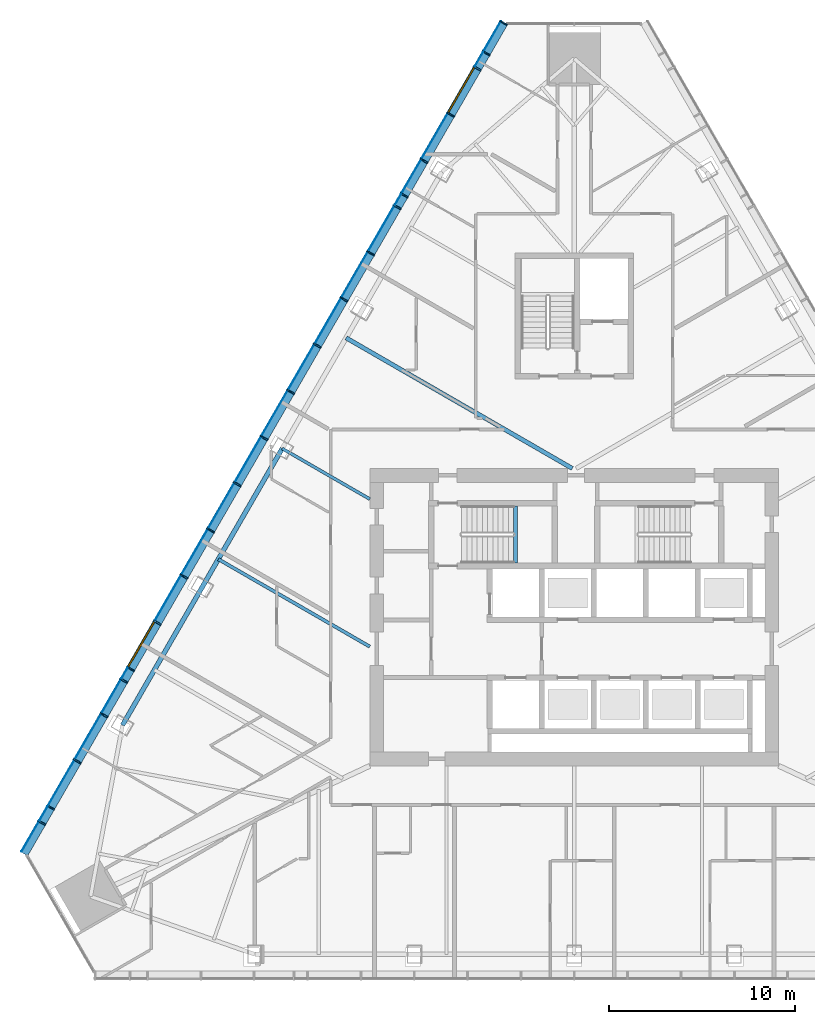
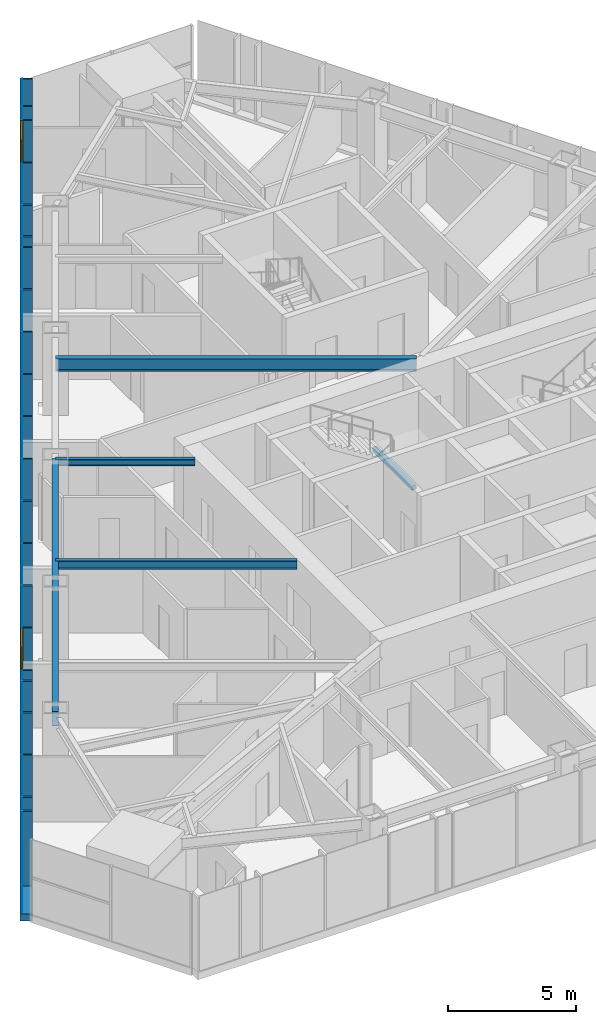
# One storey, part 4 of 16: 23 members, 20 plates, 5 beams, 2 windows, 2 openings, 1 element without a shape of its own.
"""IFC4 building model written with IfcOpenShell, lengths in metres."""

from ifc_helpers import new_model, si_unit, direction, frame, frame_2d, origin, origin_2d, place, context, subcontext, project, spatial, polyline, rectangle, i_section, outline, extrude, material, layer, layer_set, material_profile, profile_set, type_object, element, fill, aggregate, save


model = new_model("IFC4")

# Units and contexts
model_context = context("Model", 3, precision=1e-05, world=origin(), true_north=direction((0.0, 1.0)))
body_context = subcontext(model_context, "Body", "Model", "MODEL_VIEW")
ifc_project = project(units=[si_unit("LENGTHUNIT", "METRE"), si_unit("AREAUNIT", "SQUARE_METRE"), si_unit("VOLUMEUNIT", "CUBIC_METRE"), si_unit("PLANEANGLEUNIT", "RADIAN"), si_unit("MASSUNIT", "GRAM", prefix="KILO")], contexts=[model_context])

# Site, building, storey
site_placement = place(None, origin())
site = spatial("IfcSite", under=ifc_project, at=site_placement, CompositionType="ELEMENT")
building_placement = place(site_placement, origin())
building = spatial("IfcBuilding", under=site, at=building_placement, Name="Firuza Gate Tower and Library", CompositionType="ELEMENT")
storey_placement = place(building_placement, frame((0.0, 0.0, 198.699951171875)))
storey = spatial("IfcBuildingStorey", under=building, at=storey_placement, Name="L46", CompositionType="ELEMENT", Elevation=198.699951171875)

# Curtain wall, openings, members
ifc_material_1 = material(Name="Aluminium 6063-T6", Category="aluminium")
ifc_layer_1 = layer(ifc_material_1, 0.14990234375)
ifc_layer_set_1 = layer_set([ifc_layer_1], Name="Unitised curtain wall, hotel")
curtain_wall_type = type_object("IfcCurtainWallType", Name="Unitised curtain wall, hotel", PredefinedType="NOTDEFINED", material=ifc_layer_set_1)
curtain_wall_placement = place(storey_placement, origin())
curtain_wall = element("IfcCurtainWall", 1, at=curtain_wall_placement, inside=storey, type_object=curtain_wall_type, Name="CW2 L46 W face", PredefinedType="NOTDEFINED")
opening_1_placement = place(curtain_wall_placement, frame((69.6162109375, 104.568359375, 0.150146484375), z_axis=(0.0, 0.0, 1.0), x_axis=(-0.5, -0.866025, 0.0)))
opening_1 = element("IfcOpeningElement", 2, at=opening_1_placement, cuts=curtain_wall, Name="Opening WD1-005", PredefinedType="OPENING", context=body_context, shape_type="SweptSolid", body=[
    extrude(rectangle(XDim=2.789306640625, YDim=3.550048828125, at=frame_2d((1.39453125, 1.77490234375))), frame((0.0, 0.0849609375, 0.0), z_axis=(0.0, -1.0, 0.0), x_axis=(1.0, 0.0, 0.0)), (0.0, 0.0, 1.0), 0.169921875),
])
opening_2_placement = place(curtain_wall_placement, frame((52.39990234375, 74.748779296875, 0.150146484375), z_axis=(0.0, 0.0, 1.0), x_axis=(-0.5, -0.866025, 0.0)))
opening_2 = element("IfcOpeningElement", 3, at=opening_2_placement, cuts=curtain_wall, Name="Opening WD1-006", PredefinedType="OPENING", context=body_context, shape_type="SweptSolid", body=[
    extrude(rectangle(XDim=2.789306640625, YDim=3.550048828125, at=frame_2d((1.39453125, 1.77490234375))), frame((0.0, 0.0849609375, 0.0), z_axis=(0.0, -1.0, 0.0), x_axis=(1.0, 0.0, 0.0)), (0.0, 0.0, 1.0), 0.169921875),
])
ifc_material_2 = material(Name="Aluminium 6063-T6", Category="aluminium")
ifc_material_profile_1 = material_profile(ifc_material_2, rectangle(XDim=0.47998046875, YDim=0.080078125, at=origin_2d()))
ifc_profile_set_1 = profile_set([ifc_material_profile_1], Name="Aluminium 6063-T6")
member_type_1 = type_object("IfcMemberType", Name="Curtain wall mullion 80x480", PredefinedType="MULLION", material=ifc_profile_set_1)
member_1_placement = place(storey_placement, frame((71.19384765625, 106.970947265625, 0.150146484375), z_axis=(0.0, 0.0, 1.0), x_axis=(0.866025403784, -0.5, 0.0)))
member_1 = element("IfcMember", 4, at=member_1_placement, type_object=member_type_1, Name="Mullion", PredefinedType="MULLION", context=body_context, shape_type="SweptSolid", body=[
    extrude(rectangle(XDim=0.47998046875, YDim=0.080078125, at=origin_2d()), origin(), (0.0, 0.0, 1.0), 3.5498046875),
])
member_2_placement = place(storey_placement, frame((69.779052734375, 104.5205078125, 0.150146484375), z_axis=(0.0, 0.0, 1.0), x_axis=(0.866025403784, -0.5, 0.0)))
member_2 = element("IfcMember", 5, at=member_2_placement, type_object=member_type_1, Name="Mullion", PredefinedType="MULLION", context=body_context, shape_type="SweptSolid", body=[
    extrude(rectangle(XDim=0.47998046875, YDim=0.080078125, at=origin_2d()), origin(), (0.0, 0.0, 1.0), 3.5498046875),
])
member_3_placement = place(storey_placement, frame((68.344482421875, 102.03564453125, 0.150146484375), z_axis=(0.0, 0.0, 1.0), x_axis=(0.866025403784, -0.5, 0.0)))
member_3 = element("IfcMember", 6, at=member_3_placement, type_object=member_type_1, Name="Mullion", PredefinedType="MULLION", context=body_context, shape_type="SweptSolid", body=[
    extrude(rectangle(XDim=0.47998046875, YDim=0.080078125, at=origin_2d()), origin(), (0.0, 0.0, 1.0), 3.5498046875),
])
member_4_placement = place(storey_placement, frame((66.90966796875, 99.550537109375, 0.150146484375), z_axis=(0.0, 0.0, 1.0), x_axis=(0.866025403784, -0.5, 0.0)))
member_4 = element("IfcMember", 7, at=member_4_placement, type_object=member_type_1, Name="Mullion", PredefinedType="MULLION", context=body_context, shape_type="SweptSolid", body=[
    extrude(rectangle(XDim=0.47998046875, YDim=0.080078125, at=origin_2d()), origin(), (0.0, 0.0, 1.0), 3.5498046875),
])
member_5_placement = place(storey_placement, frame((65.47509765625, 97.065673828125, 0.150146484375), z_axis=(0.0, 0.0, 1.0), x_axis=(0.866025403784, -0.5, 0.0)))
member_5 = element("IfcMember", 8, at=member_5_placement, type_object=member_type_1, Name="Mullion", PredefinedType="MULLION", context=body_context, shape_type="SweptSolid", body=[
    extrude(rectangle(XDim=0.47998046875, YDim=0.080078125, at=origin_2d()), origin(), (0.0, 0.0, 1.0), 3.5498046875),
])
member_6_placement = place(storey_placement, frame((64.040283203125, 94.580810546875, 0.150146484375), z_axis=(0.0, 0.0, 1.0), x_axis=(0.866025403784, -0.5, 0.0)))
member_6 = element("IfcMember", 9, at=member_6_placement, type_object=member_type_1, Name="Mullion", PredefinedType="MULLION", context=body_context, shape_type="SweptSolid", body=[
    extrude(rectangle(XDim=0.47998046875, YDim=0.080078125, at=origin_2d()), origin(), (0.0, 0.0, 1.0), 3.5498046875),
])
member_7_placement = place(storey_placement, frame((62.605712890625, 92.095703125, 0.150146484375), z_axis=(0.0, 0.0, 1.0), x_axis=(0.866025403784, -0.5, 0.0)))
member_7 = element("IfcMember", 10, at=member_7_placement, type_object=member_type_1, Name="Mullion", PredefinedType="MULLION", context=body_context, shape_type="SweptSolid", body=[
    extrude(rectangle(XDim=0.47998046875, YDim=0.080078125, at=origin_2d()), origin(), (0.0, 0.0, 1.0), 3.5498046875),
])
member_8_placement = place(storey_placement, frame((61.1708984375, 89.61083984375, 0.150146484375), z_axis=(0.0, 0.0, 1.0), x_axis=(0.866025403784, -0.5, 0.0)))
member_8 = element("IfcMember", 11, at=member_8_placement, type_object=member_type_1, Name="Mullion", PredefinedType="MULLION", context=body_context, shape_type="SweptSolid", body=[
    extrude(rectangle(XDim=0.47998046875, YDim=0.080078125, at=origin_2d()), origin(), (0.0, 0.0, 1.0), 3.5498046875),
])
member_9_placement = place(storey_placement, frame((59.736328125, 87.125732421875, 0.150146484375), z_axis=(0.0, 0.0, 1.0), x_axis=(0.866025403784, -0.5, 0.0)))
member_9 = element("IfcMember", 12, at=member_9_placement, type_object=member_type_1, Name="Mullion", PredefinedType="MULLION", context=body_context, shape_type="SweptSolid", body=[
    extrude(rectangle(XDim=0.47998046875, YDim=0.080078125, at=origin_2d()), origin(), (0.0, 0.0, 1.0), 3.5498046875),
])
member_10_placement = place(storey_placement, frame((58.301513671875, 84.640869140625, 0.150146484375), z_axis=(0.0, 0.0, 1.0), x_axis=(0.866025403784, -0.5, 0.0)))
member_10 = element("IfcMember", 13, at=member_10_placement, type_object=member_type_1, Name="Mullion", PredefinedType="MULLION", context=body_context, shape_type="SweptSolid", body=[
    extrude(rectangle(XDim=0.47998046875, YDim=0.080078125, at=origin_2d()), origin(), (0.0, 0.0, 1.0), 3.5498046875),
])
member_11_placement = place(storey_placement, frame((56.866943359375, 82.156005859375, 0.150146484375), z_axis=(0.0, 0.0, 1.0), x_axis=(0.866025403784, -0.5, 0.0)))
member_11 = element("IfcMember", 14, at=member_11_placement, type_object=member_type_1, Name="Mullion", PredefinedType="MULLION", context=body_context, shape_type="SweptSolid", body=[
    extrude(rectangle(XDim=0.47998046875, YDim=0.080078125, at=origin_2d()), origin(), (0.0, 0.0, 1.0), 3.5498046875),
])
member_12_placement = place(storey_placement, frame((55.43212890625, 79.6708984375, 0.150146484375), z_axis=(0.0, 0.0, 1.0), x_axis=(0.866025403784, -0.5, 0.0)))
member_12 = element("IfcMember", 15, at=member_12_placement, type_object=member_type_1, Name="Mullion", PredefinedType="MULLION", context=body_context, shape_type="SweptSolid", body=[
    extrude(rectangle(XDim=0.47998046875, YDim=0.080078125, at=origin_2d()), origin(), (0.0, 0.0, 1.0), 3.5498046875),
])
member_13_placement = place(storey_placement, frame((53.99755859375, 77.18603515625, 0.150146484375), z_axis=(0.0, 0.0, 1.0), x_axis=(0.866025403784, -0.5, 0.0)))
member_13 = element("IfcMember", 16, at=member_13_placement, type_object=member_type_1, Name="Mullion", PredefinedType="MULLION", context=body_context, shape_type="SweptSolid", body=[
    extrude(rectangle(XDim=0.47998046875, YDim=0.080078125, at=origin_2d()), origin(), (0.0, 0.0, 1.0), 3.5498046875),
])
member_14_placement = place(storey_placement, frame((52.562744140625, 74.700927734375, 0.150146484375), z_axis=(0.0, 0.0, 1.0), x_axis=(0.866025403784, -0.5, 0.0)))
member_14 = element("IfcMember", 17, at=member_14_placement, type_object=member_type_1, Name="Mullion", PredefinedType="MULLION", context=body_context, shape_type="SweptSolid", body=[
    extrude(rectangle(XDim=0.47998046875, YDim=0.080078125, at=origin_2d()), origin(), (0.0, 0.0, 1.0), 3.5498046875),
])
member_15_placement = place(storey_placement, frame((51.128173828125, 72.216064453125, 0.150146484375), z_axis=(0.0, 0.0, 1.0), x_axis=(0.866025403784, -0.5, 0.0)))
member_15 = element("IfcMember", 18, at=member_15_placement, type_object=member_type_1, Name="Mullion", PredefinedType="MULLION", context=body_context, shape_type="SweptSolid", body=[
    extrude(rectangle(XDim=0.47998046875, YDim=0.080078125, at=origin_2d()), origin(), (0.0, 0.0, 1.0), 3.5498046875),
])
member_16_placement = place(storey_placement, frame((49.693359375, 69.73095703125, 0.150146484375), z_axis=(0.0, 0.0, 1.0), x_axis=(0.866025403784, -0.5, 0.0)))
member_16 = element("IfcMember", 19, at=member_16_placement, type_object=member_type_1, Name="Mullion", PredefinedType="MULLION", context=body_context, shape_type="SweptSolid", body=[
    extrude(rectangle(XDim=0.47998046875, YDim=0.080078125, at=origin_2d()), origin(), (0.0, 0.0, 1.0), 3.5498046875),
])
member_17_placement = place(storey_placement, frame((48.2587890625, 67.24609375, 0.150146484375), z_axis=(0.0, 0.0, 1.0), x_axis=(0.866025403784, -0.5, 0.0)))
member_17 = element("IfcMember", 20, at=member_17_placement, type_object=member_type_1, Name="Mullion", PredefinedType="MULLION", context=body_context, shape_type="SweptSolid", body=[
    extrude(rectangle(XDim=0.47998046875, YDim=0.080078125, at=origin_2d()), origin(), (0.0, 0.0, 1.0), 3.5498046875),
])
member_18_placement = place(storey_placement, frame((46.823974609375, 64.76123046875, 0.150146484375), z_axis=(0.0, 0.0, 1.0), x_axis=(0.866025403784, -0.5, 0.0)))
member_18 = element("IfcMember", 21, at=member_18_placement, type_object=member_type_1, Name="Mullion", PredefinedType="MULLION", context=body_context, shape_type="SweptSolid", body=[
    extrude(rectangle(XDim=0.47998046875, YDim=0.080078125, at=origin_2d()), origin(), (0.0, 0.0, 1.0), 3.5498046875),
])
member_19_placement = place(storey_placement, frame((70.253173828125, 105.341796875, 0.150146484375), z_axis=(0.0, 0.0, 1.0), x_axis=(0.866025403784, -0.5, 0.0)))
member_19 = element("IfcMember", 22, at=member_19_placement, type_object=member_type_1, Name="Mullion", PredefinedType="MULLION", context=body_context, shape_type="SweptSolid", body=[
    extrude(rectangle(XDim=0.47998046875, YDim=0.080078125, at=origin_2d()), origin(), (0.0, 0.0, 1.0), 3.5498046875),
])
member_20_placement = place(storey_placement, frame((65.84130859375, 97.699951171875, 0.150146484375), z_axis=(0.0, 0.0, 1.0), x_axis=(0.866025403784, -0.5, 0.0)))
member_20 = element("IfcMember", 23, at=member_20_placement, type_object=member_type_1, Name="Mullion", PredefinedType="MULLION", context=body_context, shape_type="SweptSolid", body=[
    extrude(rectangle(XDim=0.47998046875, YDim=0.080078125, at=origin_2d()), origin(), (0.0, 0.0, 1.0), 3.5498046875),
])
member_21_placement = place(storey_placement, frame((50.76171875, 71.58154296875, 0.150146484375), z_axis=(0.0, 0.0, 1.0), x_axis=(0.866025403784, -0.5, 0.0)))
member_21 = element("IfcMember", 24, at=member_21_placement, type_object=member_type_1, Name="Mullion", PredefinedType="MULLION", context=body_context, shape_type="SweptSolid", body=[
    extrude(rectangle(XDim=0.47998046875, YDim=0.080078125, at=origin_2d()), origin(), (0.0, 0.0, 1.0), 3.5498046875),
])
member_22_placement = place(storey_placement, frame((46.349853515625, 63.93994140625, 0.150146484375), z_axis=(0.0, 0.0, 1.0), x_axis=(0.866025403784, -0.5, 0.0)))
member_22 = element("IfcMember", 25, at=member_22_placement, type_object=member_type_1, Name="Mullion", PredefinedType="MULLION", context=body_context, shape_type="SweptSolid", body=[
    extrude(rectangle(XDim=0.47998046875, YDim=0.080078125, at=origin_2d()), origin(), (0.0, 0.0, 1.0), 3.5498046875),
])
ifc_material_3 = material(Name="Aluminium 6063-T6", Category="aluminium")
ifc_material_profile_2 = material_profile(ifc_material_3, rectangle(XDim=0.47998046875, YDim=0.35009765625, at=origin_2d()))
ifc_profile_set_2 = profile_set([ifc_material_profile_2], Name="Aluminium 6063-T6")
member_type_2 = type_object("IfcMemberType", Name="Curtain wall transom 350x480", PredefinedType="USERDEFINED", material=ifc_profile_set_2)
member_23_placement = place(storey_placement, frame((71.2138671875, 107.005615234375, -0.02490234375), z_axis=(-0.499998236205, -0.86602642211, 0.0), x_axis=(0.86602642211, -0.499998236205, 0.0)))
member_23 = element("IfcMember", 26, at=member_23_placement, type_object=member_type_2, Name="Transom", ObjectType="TRANSOM", PredefinedType="USERDEFINED", context=body_context, shape_type="SweptSolid", body=[
    extrude(rectangle(XDim=0.47998046875, YDim=0.35009765625, at=origin_2d()), origin(), (0.0, 0.0, 1.0), 51.649169921875),
])

# Beams
ifc_material_4 = material(Name="Concrete C35/45", Category="concrete")
ifc_material_profile_3 = material_profile(ifc_material_4, rectangle(XDim=0.199951171875, YDim=0.199951171875, at=origin_2d()))
ifc_profile_set_3 = profile_set([ifc_material_profile_3], Name="Concrete C35/45")
beam_type_1 = type_object("IfcBeamType", Name="Stair landing bearer 200x200", PredefinedType="BEAM", material=ifc_profile_set_3)
beam_1_placement = place(storey_placement, frame((71.840087890625, 77.89990234375, 1.650146484375), z_axis=(0.0, 1.0, 0.0), x_axis=(-1.0, 0.0, 0.0)))
element("IfcBeam", 27, at=beam_1_placement, inside=storey, type_object=beam_type_1, Name="Landing bearer L46 stair 1", PredefinedType="BEAM", context=body_context, shape_type="SweptSolid", body=[
    extrude(rectangle(XDim=0.199951171875, YDim=0.199951171875, at=origin_2d()), origin(), (0.0, 0.0, 1.0), 3.080078125),
])
ifc_material_5 = material(Name="Steel S355", Category="steel")
ifc_material_profile_4 = material_profile(ifc_material_5, i_section(OverallWidth=0.1650390625, OverallDepth=0.31005859375, WebThickness=0.005859375, FlangeThickness=0.009765625, at=origin_2d()))
ifc_profile_set_4 = profile_set([ifc_material_profile_4], Name="Steel S355")
beam_type_2 = type_object("IfcBeamType", Name="W310x39 Floor beam", PredefinedType="JOIST", material=ifc_profile_set_4)
beam_2_placement = place(storey_placement, frame((59.288818359375, 84.07080078125, 3.545166015625), z_axis=(0.866027894023, -0.499995686755, 0.0), x_axis=(0.499995686755, 0.866027894023, 0.0)))
element("IfcBeam", 28, at=beam_2_placement, inside=storey, type_object=beam_type_2, Name="Floor beam L46 s82", PredefinedType="JOIST", context=body_context, shape_type="SweptSolid", body=[
    extrude(i_section(OverallWidth=0.1650390625, OverallDepth=0.31005859375, WebThickness=0.005859375, FlangeThickness=0.009765625, at=origin_2d()), origin(), (0.0, 0.0, 1.0), 5.43994140625),
])
ifc_material_6 = material(Name="Steel S355", Category="steel")
ifc_material_profile_5 = material_profile(ifc_material_6, i_section(OverallWidth=0.177978515625, OverallDepth=0.406982421875, WebThickness=0.0078125, FlangeThickness=0.0126953125, at=origin_2d()))
ifc_profile_set_5 = profile_set([ifc_material_profile_5], Name="Steel S355")
beam_type_3 = type_object("IfcBeamType", Name="W410x60 Floor beam", PredefinedType="JOIST", material=ifc_profile_set_5)
beam_3_placement = place(storey_placement, frame((55.851318359375, 78.116943359375, 3.49658203125), z_axis=(0.86602787481, -0.499995720034, 0.0), x_axis=(0.499995720034, 0.86602787481, 0.0)))
element("IfcBeam", 29, at=beam_3_placement, inside=storey, type_object=beam_type_3, Name="Floor beam L46 s83", PredefinedType="JOIST", context=body_context, shape_type="SweptSolid", body=[
    extrude(i_section(OverallWidth=0.177978515625, OverallDepth=0.406982421875, WebThickness=0.0078125, FlangeThickness=0.0126953125, at=origin_2d()), origin(), (0.0, 0.0, 1.0), 9.4091796875),
])
ifc_material_7 = material(Name="Steel S355", Category="steel")
ifc_material_profile_6 = material_profile(ifc_material_7, i_section(OverallWidth=0.22802734375, OverallDepth=0.60302734375, WebThickness=0.010498046875, FlangeThickness=0.014892578125, at=origin_2d()))
ifc_profile_set_6 = profile_set([ifc_material_profile_6], Name="Steel S355")
beam_type_4 = type_object("IfcBeamType", Name="W610x101 Floor beam", PredefinedType="JOIST", material=ifc_profile_set_6)
beam_4_placement = place(storey_placement, frame((62.726318359375, 90.024658203125, 3.3984375), z_axis=(0.866028453965, -0.499994716896, 0.0), x_axis=(0.499994716896, 0.866028453965, 0.0)))
element("IfcBeam", 30, at=beam_4_placement, inside=storey, type_object=beam_type_4, Name="Floor beam L46 s81", PredefinedType="JOIST", context=body_context, shape_type="SweptSolid", body=[
    extrude(i_section(OverallWidth=0.22802734375, OverallDepth=0.60302734375, WebThickness=0.010498046875, FlangeThickness=0.014892578125, at=origin_2d()), origin(), (0.0, 0.0, 1.0), 14.049560546875),
])
ifc_material_8 = material(Name="Steel S355", Category="steel")
ifc_material_profile_7 = material_profile(ifc_material_8, i_section(OverallWidth=0.2529296875, OverallDepth=0.677978515625, WebThickness=0.01171875, FlangeThickness=0.016357421875, at=origin_2d()))
ifc_profile_set_7 = profile_set([ifc_material_profile_7], Name="Steel S355")
beam_type_5 = type_object("IfcBeamType", Name="W690x125 Edge beam", PredefinedType="SPANDREL", material=ifc_profile_set_7)
beam_5_placement = place(storey_placement, frame((59.288818359375, 84.07080078125, 3.361083984375), z_axis=(-0.500001158966, -0.866024734654, 0.0), x_axis=(0.866024734654, -0.500001158966, 0.0)))
element("IfcBeam", 31, at=beam_5_placement, inside=storey, type_object=beam_type_5, Name="Edge beam L46 e82", PredefinedType="SPANDREL", context=body_context, shape_type="SweptSolid", body=[
    extrude(i_section(OverallWidth=0.2529296875, OverallDepth=0.677978515625, WebThickness=0.01171875, FlangeThickness=0.016357421875, at=origin_2d()), origin(), (0.0, 0.0, 1.0), 17.1875),
])

# Plate
ifc_material_9 = material(Name="Fritted glass", Category="glass")
ifc_layer_2 = layer(ifc_material_9, 0.030029296875)
ifc_layer_set_2 = layer_set([ifc_layer_2], Name="Fritted glass unit, hotel")
plate_type_1 = type_object("IfcPlateType", Name="Fritted glass unit, hotel", PredefinedType="CURTAIN_PANEL", material=ifc_layer_set_2)
plate_1_placement = place(storey_placement, frame((70.077392578125, 105.397216796875, 0.150146484375), z_axis=(-0.866054481515, 0.499949632511, 0.0), x_axis=(-0.499949632511, -0.866054481515, 0.0)))
plate_1 = element("IfcPlate", 32, at=plate_1_placement, type_object=plate_type_1, Name="Glass unit", PredefinedType="CURTAIN_PANEL", context=body_context, shape_type="SweptSolid", body=[
    extrude(outline(polyline([(0.0, 0.0), (0.8682515257984816, 0.0), (0.8682515257984816, 3.5498046875), (0.0, 3.5498046875), (0.0, 0.0)])), origin(), (0.0, 0.0, -1.0), 0.030029296875),
])

plate_2_placement = place(storey_placement, frame((65.66552734375, 97.75537109375, 0.150146484375), z_axis=(-0.865861471304, 0.500283831951, 0.0), x_axis=(-0.500283831951, -0.865861471304, 0.0)))
plate_2 = element("IfcPlate", 33, at=plate_2_placement, type_object=plate_type_1, Name="Glass unit", PredefinedType="CURTAIN_PANEL", context=body_context, shape_type="SweptSolid", body=[
    extrude(outline(polyline([(0.0, 0.0), (0.652461652323129, 0.0), (0.652461652323129, 3.5498046875), (0.0, 3.5498046875), (0.0, 0.0)])), origin(), (0.0, 0.0, -1.0), 0.030029296875),
])

plate_3_placement = place(storey_placement, frame((65.299072265625, 97.12109375, 0.150146484375), z_axis=(-0.866058787942, 0.499942172484, 0.0), x_axis=(-0.499942172484, -0.866058787942, 0.0)))
plate_3 = element("IfcPlate", 34, at=plate_3_placement, type_object=plate_type_1, Name="Glass unit", PredefinedType="CURTAIN_PANEL", context=body_context, shape_type="SweptSolid", body=[
    extrude(outline(polyline([(0.0, 0.0), (2.789385106425062, 0.0), (2.789385106425062, 3.5498046875), (0.0, 3.5498046875), (0.0, 0.0)])), origin(), (0.0, 0.0, -1.0), 0.030029296875),
])

plate_4_placement = place(storey_placement, frame((60.9951171875, 89.666259765625, 0.150146484375), z_axis=(-0.866020890646, 0.500007816904, 0.0), x_axis=(-0.500007816904, -0.866020890646, 0.0)))
plate_4 = element("IfcPlate", 35, at=plate_4_placement, type_object=plate_type_1, Name="Glass unit", PredefinedType="CURTAIN_PANEL", context=body_context, shape_type="SweptSolid", body=[
    extrude(outline(polyline([(0.0, 0.0), (2.789507170632926, 0.0), (2.789507170632926, 3.5498046875), (0.0, 3.5498046875), (0.0, 0.0)])), origin(), (0.0, 0.0, -1.0), 0.030029296875),
])

plate_5_placement = place(storey_placement, frame((56.69091796875, 82.211181640625, 0.150146484375), z_axis=(-0.866036909293, 0.499980071345, 0.0), x_axis=(-0.499980071345, -0.866036909293, 0.0)))
plate_5 = element("IfcPlate", 36, at=plate_5_placement, type_object=plate_type_1, Name="Glass unit", PredefinedType="CURTAIN_PANEL", context=body_context, shape_type="SweptSolid", body=[
    extrude(outline(polyline([(0.0, 0.0), (2.789173668961919, 0.0), (2.789173668961919, 3.5498046875), (0.0, 3.5498046875), (0.0, 0.0)])), origin(), (0.0, 0.0, -1.0), 0.030029296875),
])

plate_6_placement = place(storey_placement, frame((50.9521484375, 72.271484375, 0.150146484375), z_axis=(-0.866117063051, 0.499841207877, 0.0), x_axis=(-0.499841207877, -0.866117063051, 0.0)))
plate_6 = element("IfcPlate", 37, at=plate_6_placement, type_object=plate_type_1, Name="Glass unit", PredefinedType="CURTAIN_PANEL", context=body_context, shape_type="SweptSolid", body=[
    extrude(outline(polyline([(0.0, 0.0), (0.6525509899137449, 0.0), (0.6525509899137449, 3.549804687500001), (0.0, 3.549804687500001), (0.0, 0.0)])), origin(), (0.0, 0.0, -1.0), 0.030029296875),
])

plate_7_placement = place(storey_placement, frame((48.082763671875, 67.301513671875, 0.150146484375), z_axis=(-0.866020890646, 0.500007816904, 0.0), x_axis=(-0.500007816904, -0.866020890646, 0.0)))
plate_7 = element("IfcPlate", 38, at=plate_7_placement, type_object=plate_type_1, Name="Glass unit", PredefinedType="CURTAIN_PANEL", context=body_context, shape_type="SweptSolid", body=[
    extrude(outline(polyline([(0.0, 0.0), (2.789507170632926, 0.0), (2.789507170632926, 3.5498046875), (0.0, 3.5498046875), (0.0, 0.0)])), origin(), (0.0, 0.0, -1.0), 0.030029296875),
])

plate_8_placement = place(storey_placement, frame((46.648193359375, 64.81640625, 0.150146484375), z_axis=(-0.865984173366, 0.50007140638, 0.0), x_axis=(-0.50007140638, -0.865984173366, 0.0)))
plate_8 = element("IfcPlate", 39, at=plate_8_placement, type_object=plate_type_1, Name="Glass unit", PredefinedType="CURTAIN_PANEL", context=body_context, shape_type="SweptSolid", body=[
    extrude(outline(polyline([(0.0, 0.0), (0.8680400952975732, 0.0), (0.8680400952975732, 3.5498046875), (0.0, 3.5498046875), (0.0, 0.0)])), origin(), (0.0, 0.0, -1.0), 0.030029296875),
])

ifc_material_10 = material(Name="Glazed ceramic tile")
ifc_layer_3 = layer(ifc_material_10, 0.030029296875)
ifc_layer_set_3 = layer_set([ifc_layer_3], Name="Opaque ceramic panel, hotel")
plate_type_2 = type_object("IfcPlateType", Name="Opaque ceramic panel, hotel", PredefinedType="CURTAIN_PANEL", material=ifc_layer_set_3)
plate_9_placement = place(storey_placement, frame((71.037841796875, 107.060791015625, 0.150146484375), z_axis=(-0.866064137879, 0.499932904579, 0.0), x_axis=(-0.499932904579, -0.866064137879, 0.0)))
plate_9 = element("IfcPlate", 40, at=plate_9_placement, type_object=plate_type_2, Name="Opaque ceramic panel", PredefinedType="CURTAIN_PANEL", context=body_context, shape_type="SweptSolid", body=[
    extrude(outline(polyline([(0.0, 0.0), (1.8410673668816455, 0.0), (1.8410673668816455, 3.5498046875), (0.0, 3.5498046875), (0.0, 0.0)])), origin(), (0.0, 0.0, -1.0), 0.030029296875),
])

plate_10_placement = place(storey_placement, frame((68.16845703125, 102.091064453125, 0.150146484375), z_axis=(-0.866058787942, 0.499942172484, 0.0), x_axis=(-0.499942172484, -0.866058787942, 0.0)))
plate_10 = element("IfcPlate", 41, at=plate_10_placement, type_object=plate_type_2, Name="Opaque ceramic panel", PredefinedType="CURTAIN_PANEL", context=body_context, shape_type="SweptSolid", body=[
    extrude(outline(polyline([(0.0, 0.0), (2.789385106425062, 0.0), (2.789385106425062, 3.5498046875), (0.0, 3.5498046875), (0.0, 0.0)])), origin(), (0.0, 0.0, -1.0), 0.030029296875),
])

plate_11_placement = place(storey_placement, frame((66.73388671875, 99.60595703125, 0.150146484375), z_axis=(-0.865991869213, 0.500058079084, 0.0), x_axis=(-0.500058079084, -0.865991869213, 0.0)))
plate_11 = element("IfcPlate", 42, at=plate_11_placement, type_object=plate_type_2, Name="Opaque ceramic panel", PredefinedType="CURTAIN_PANEL", context=body_context, shape_type="SweptSolid", body=[
    extrude(outline(polyline([(0.0, 0.0), (2.0568899816792174, 0.0), (2.0568899816792174, 3.5498046875), (0.0, 3.5498046875), (0.0, 0.0)])), origin(), (0.0, 0.0, -1.0), 0.030029296875),
])

plate_12_placement = place(storey_placement, frame((63.864501953125, 94.635986328125, 0.150146484375), z_axis=(-0.865999007209, 0.500045717423, 0.0), x_axis=(-0.500045717423, -0.865999007209, 0.0)))
plate_12 = element("IfcPlate", 43, at=plate_12_placement, type_object=plate_type_2, Name="Opaque ceramic panel", PredefinedType="CURTAIN_PANEL", context=body_context, shape_type="SweptSolid", body=[
    extrude(outline(polyline([(0.0, 0.0), (2.7892957424226377, 0.0), (2.7892957424226377, 3.5498046875), (0.0, 3.5498046875), (0.0, 0.0)])), origin(), (0.0, 0.0, -1.0), 0.030029296875),
])

plate_13_placement = place(storey_placement, frame((62.4296875, 92.151123046875, 0.150146484375), z_axis=(-0.866058787942, 0.499942172484, 0.0), x_axis=(-0.499942172484, -0.866058787942, 0.0)))
plate_13 = element("IfcPlate", 44, at=plate_13_placement, type_object=plate_type_2, Name="Opaque ceramic panel", PredefinedType="CURTAIN_PANEL", context=body_context, shape_type="SweptSolid", body=[
    extrude(outline(polyline([(0.0, 0.0), (2.789385106425062, 0.0), (2.789385106425062, 3.5498046875), (0.0, 3.5498046875), (0.0, 0.0)])), origin(), (0.0, 0.0, -1.0), 0.030029296875),
])

plate_14_placement = place(storey_placement, frame((59.560302734375, 87.18115234375, 0.150146484375), z_axis=(-0.866058787942, 0.499942172484, 0.0), x_axis=(-0.499942172484, -0.866058787942, 0.0)))
plate_14 = element("IfcPlate", 45, at=plate_14_placement, type_object=plate_type_2, Name="Opaque ceramic panel", PredefinedType="CURTAIN_PANEL", context=body_context, shape_type="SweptSolid", body=[
    extrude(outline(polyline([(0.0, 0.0), (2.789385106425062, 0.0), (2.789385106425062, 3.5498046875), (0.0, 3.5498046875), (0.0, 0.0)])), origin(), (0.0, 0.0, -1.0), 0.030029296875),
])

plate_15_placement = place(storey_placement, frame((58.125732421875, 84.6962890625, 0.150146484375), z_axis=(-0.866020890646, 0.500007816904, 0.0), x_axis=(-0.500007816904, -0.866020890646, 0.0)))
plate_15 = element("IfcPlate", 46, at=plate_15_placement, type_object=plate_type_2, Name="Opaque ceramic panel", PredefinedType="CURTAIN_PANEL", context=body_context, shape_type="SweptSolid", body=[
    extrude(outline(polyline([(0.0, 0.0), (2.789507170632926, 0.0), (2.789507170632926, 3.5498046875), (0.0, 3.5498046875), (0.0, 0.0)])), origin(), (0.0, 0.0, -1.0), 0.030029296875),
])

plate_16_placement = place(storey_placement, frame((55.25634765625, 79.726318359375, 0.150146484375), z_axis=(-0.866020890646, 0.500007816904, 0.0), x_axis=(-0.500007816904, -0.866020890646, 0.0)))
plate_16 = element("IfcPlate", 47, at=plate_16_placement, type_object=plate_type_2, Name="Opaque ceramic panel", PredefinedType="CURTAIN_PANEL", context=body_context, shape_type="SweptSolid", body=[
    extrude(outline(polyline([(0.0, 0.0), (2.789507170632926, 0.0), (2.789507170632926, 3.5498046875), (0.0, 3.5498046875), (0.0, 0.0)])), origin(), (0.0, 0.0, -1.0), 0.030029296875),
])

plate_17_placement = place(storey_placement, frame((53.821533203125, 77.2412109375, 0.150146484375), z_axis=(-0.866036909293, 0.499980071345, 0.0), x_axis=(-0.499980071345, -0.866036909293, 0.0)))
plate_17 = element("IfcPlate", 48, at=plate_17_placement, type_object=plate_type_2, Name="Opaque ceramic panel", PredefinedType="CURTAIN_PANEL", context=body_context, shape_type="SweptSolid", body=[
    extrude(outline(polyline([(0.0, 0.0), (2.789173668961919, 0.0), (2.789173668961919, 3.5498046875), (0.0, 3.5498046875), (0.0, 0.0)])), origin(), (0.0, 0.0, -1.0), 0.030029296875),
])

plate_18_placement = place(storey_placement, frame((50.5859375, 71.636962890625, 0.150146484375), z_axis=(-0.865991869213, 0.500058079084, 0.0), x_axis=(-0.500058079084, -0.865991869213, 0.0)))
plate_18 = element("IfcPlate", 49, at=plate_18_placement, type_object=plate_type_2, Name="Opaque ceramic panel", PredefinedType="CURTAIN_PANEL", context=body_context, shape_type="SweptSolid", body=[
    extrude(outline(polyline([(0.0, 0.0), (2.0568899816792174, 0.0), (2.0568899816792174, 3.5498046875), (0.0, 3.5498046875), (0.0, 0.0)])), origin(), (0.0, 0.0, -1.0), 0.030029296875),
])

plate_19_placement = place(storey_placement, frame((49.517578125, 69.786376953125, 0.150146484375), z_axis=(-0.865999007209, 0.500045717423, 0.0), x_axis=(-0.500045717423, -0.865999007209, 0.0)))
plate_19 = element("IfcPlate", 50, at=plate_19_placement, type_object=plate_type_2, Name="Opaque ceramic panel", PredefinedType="CURTAIN_PANEL", context=body_context, shape_type="SweptSolid", body=[
    extrude(outline(polyline([(0.0, 0.0), (2.7892957424226377, 0.0), (2.7892957424226377, 3.5498046875), (0.0, 3.5498046875), (0.0, 0.0)])), origin(), (0.0, 0.0, -1.0), 0.030029296875),
])

plate_20_placement = place(storey_placement, frame((46.174072265625, 63.995361328125, 0.150146484375), z_axis=(-0.866006720078, 0.500032359733, 0.0), x_axis=(-0.500032359733, -0.866006720078, 0.0)))
plate_20 = element("IfcPlate", 51, at=plate_20_placement, type_object=plate_type_2, Name="Opaque ceramic panel", PredefinedType="CURTAIN_PANEL", context=body_context, shape_type="SweptSolid", body=[
    extrude(outline(polyline([(0.0, 0.0), (1.8411894329543514, 0.0), (1.8411894329543514, 3.5498046875), (0.0, 3.5498046875), (0.0, 0.0)])), origin(), (0.0, 0.0, -1.0), 0.030029296875),
])

aggregate(curtain_wall, [member_1, member_2, member_3, member_4, member_5, member_6, member_7, member_8, member_9, member_10, member_11, member_12, member_13, member_14, member_15, member_16, member_17, member_18, member_23, plate_9, plate_1, member_19, plate_10, plate_11, plate_2, member_20, plate_3, plate_12, plate_13, plate_4, plate_14, plate_15, plate_5, plate_16, plate_17, plate_6, plate_18, member_21, plate_19, plate_7, plate_8, plate_20, member_22])

# Window
ifc_material_11 = material(Name="Aluminium 6063-T6 and glass", Category="aluminium")
ifc_layer_4 = layer(ifc_material_11, 0.030029296875)
ifc_layer_set_4 = layer_set([ifc_layer_4], Name="Operable glazed unit")
window_type = type_object("IfcWindowType", Name="Operable glazed unit", PartitioningType="SINGLE_PANEL", PredefinedType="WINDOW", material=ifc_layer_set_4)
window_1_placement = place(opening_1_placement, origin())
window_1 = element("IfcWindow", 52, at=window_1_placement, inside=storey, type_object=window_type, Name="Operable glazed unit", OverallHeight=3.550048828125, OverallWidth=2.789306640625, PartitioningType="SINGLE_PANEL", PredefinedType="WINDOW", context=body_context, shape_type="SweptSolid", body=[
    extrude(rectangle(XDim=2.789306640625, YDim=3.550048828125, at=frame_2d((1.39453125, 1.77490234375))), frame((0.0, 0.030029296875, 0.0), z_axis=(0.0, -1.0, 0.0), x_axis=(1.0, 0.0, 0.0)), (0.0, 0.0, 1.0), 0.06005859375),
])

fill(opening_1, window_1)

window_2_placement = place(opening_2_placement, origin())
window_2 = element("IfcWindow", 53, at=window_2_placement, inside=storey, type_object=window_type, Name="Operable glazed unit", OverallHeight=3.550048828125, OverallWidth=2.789306640625, PartitioningType="SINGLE_PANEL", PredefinedType="WINDOW", context=body_context, shape_type="SweptSolid", body=[
    extrude(rectangle(XDim=2.789306640625, YDim=3.550048828125, at=frame_2d((1.39453125, 1.77490234375))), frame((0.0, 0.030029296875, 0.0), z_axis=(0.0, -1.0, 0.0), x_axis=(1.0, 0.0, 0.0)), (0.0, 0.0, 1.0), 0.06005859375),
])

fill(opening_2, window_2)

save(model, "model.ifc")
